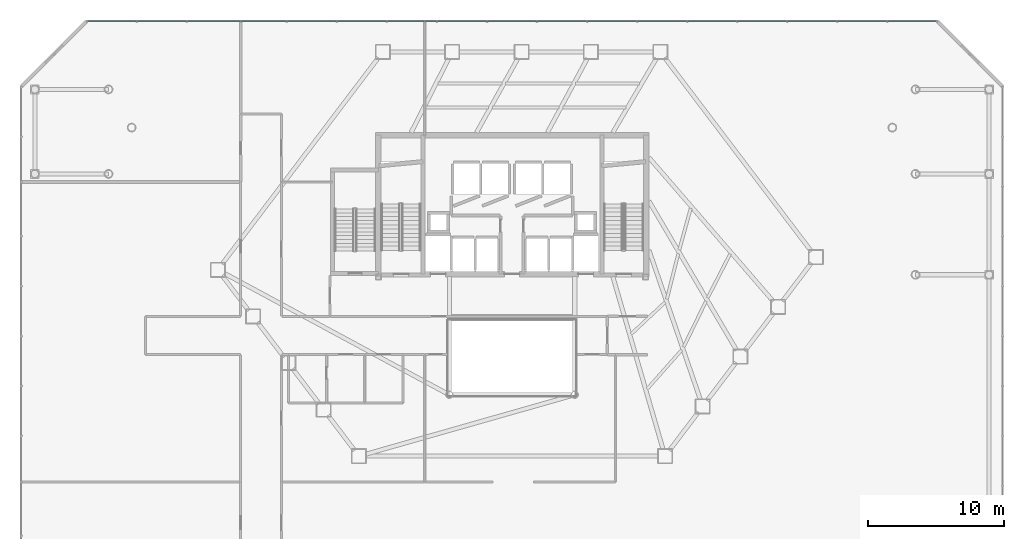
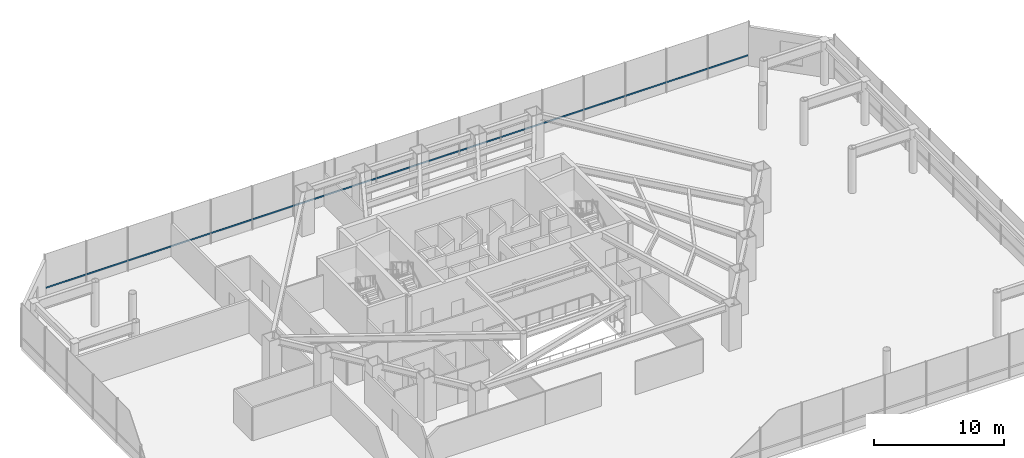
# One storey, part 22 of 37: 1 member, 1 element without a shape of its own.
"""IFC4 building model written with IfcOpenShell, lengths in metres."""

import ifcopenshell
import ifcopenshell.guid

model = None  # the IFC model being written
_history = None  # IfcOwnerHistory: only IFC2X3 demands one
_inside = {}  # id of a spatial element -> (the spatial element, [elements in it])
_under = {}  # id of a project, library or spatial element -> (it, [spatial elements below it])
_declared = {}  # id of a project -> (the project, [libraries it declares])
_typed = {}  # id of a type object -> (the type object, [elements of that type])
_made_of = {}  # id of a material, layer set ... -> (it, [elements and type objects made of it])


def new_model(schema):
    """Start an empty IFC model of exactly this schema.

    Asked for "IFC4X3", IfcOpenShell would pick the latest addendum, in which some entities
    have other attributes; the version numbers below select the first issue.
    IFC2X3 requires an IfcOwnerHistory on every rooted entity: one is made here for all.
    """
    global model, _history
    if schema == "IFC4X3":
        model = ifcopenshell.file(schema_version=(4, 3, 0, 0))
    else:
        model = ifcopenshell.file(schema=schema)
    _inside.clear()
    _under.clear()
    _declared.clear()
    _typed.clear()
    _made_of.clear()
    _history = None
    if model.schema == "IFC2X3":
        org = make("IfcOrganization", Name="unknown")
        user = make(
            "IfcPersonAndOrganization",
            ThePerson=make("IfcPerson", FamilyName="unknown"),
            TheOrganization=org,
        )
        app = make(
            "IfcApplication",
            ApplicationDeveloper=org,
            Version="unknown",
            ApplicationFullName="unknown",
            ApplicationIdentifier="unknown",
        )
        _history = make(
            "IfcOwnerHistory",
            OwningUser=user,
            OwningApplication=app,
            ChangeAction="ADDED",
            CreationDate=0,
        )
    return model


def make(cls, **values):
    """One entity of the class cls with the attributes given. An attribute that is None is left unset."""
    return model.create_entity(
        cls, **{name: value for name, value in values.items() if value is not None}
    )


def rooted(cls, **values):
    """An entity with a GlobalId (a new one), such as an element, a storey or a relation."""
    return make(cls, GlobalId=ifcopenshell.guid.new(), OwnerHistory=_history, **values)


def si_unit(unit_type, name, prefix=None):
    """IfcSIUnit, for example si_unit("LENGTHUNIT", "METRE", prefix="MILLI")."""
    return make("IfcSIUnit", UnitType=unit_type, Prefix=prefix, Name=name)


def assignment(units):
    """IfcUnitAssignment: the units of a project."""
    return None if units is None else make("IfcUnitAssignment", Units=units)


def point(xyz):
    """IfcCartesianPoint."""
    return None if xyz is None else make("IfcCartesianPoint", Coordinates=xyz)


def direction(xyz):
    """IfcDirection."""
    return None if xyz is None else make("IfcDirection", DirectionRatios=xyz)


def frame(location, z_axis=None, x_axis=None):
    """IfcAxis2Placement3D, a coordinate frame: its origin and axes. An axis left out is left unset."""
    return make(
        "IfcAxis2Placement3D",
        Location=point(location),
        Axis=direction(z_axis),
        RefDirection=direction(x_axis),
    )


def frame_2d(location, x_axis=None):
    """IfcAxis2Placement2D, a coordinate frame in the plane: its origin and x axis."""
    return make(
        "IfcAxis2Placement2D", Location=point(location), RefDirection=direction(x_axis)
    )


def origin():
    """The frame at (0, 0, 0) with its axes left unset."""
    return frame((0.0, 0.0, 0.0))


def origin_2d():
    """The frame at (0, 0) in the plane with its x axis left unset."""
    return frame_2d((0.0, 0.0))


def place(relative_to, where):
    """IfcLocalPlacement: puts the frame where relative to a parent placement (None: the world)."""
    return make(
        "IfcLocalPlacement", PlacementRelTo=relative_to, RelativePlacement=where
    )


def context(
    kind, dimensions, precision=None, world=None, true_north=None, identifier=None
):
    """IfcGeometricRepresentationContext, for example the 3D "Model" context."""
    return make(
        "IfcGeometricRepresentationContext",
        ContextIdentifier=identifier,
        ContextType=kind,
        CoordinateSpaceDimension=dimensions,
        Precision=precision,
        WorldCoordinateSystem=world,
        TrueNorth=true_north,
    )


def subcontext(parent, identifier, kind, view, scale=None):
    """IfcGeometricRepresentationSubContext, for example "Body" below "Model"."""
    return make(
        "IfcGeometricRepresentationSubContext",
        ContextIdentifier=identifier,
        ContextType=kind,
        ParentContext=parent,
        TargetScale=scale,
        TargetView=view,
    )


def project(units=None, contexts=None):
    """IfcProject with its units and contexts."""
    return rooted(
        "IfcProject",
        Name="project",
        RepresentationContexts=contexts,
        UnitsInContext=assignment(units),
    )


def spatial(cls, under=None, at=None, **own):
    """A site, building, storey or space (cls), placed at a placement, below another one or the project."""
    s = rooted(cls, ObjectPlacement=at, **own)
    if under is not None:
        _under.setdefault(under.id(), (under, []))[1].append(s)
    return s


def profile(cls, at=None, kind="AREA", **sizes):
    """A parametric profile (cls). Its sizes go by their IFC names, for example OverallWidth=200.0."""
    return make(cls, ProfileType=kind, Position=at, **sizes)


def hollow_rectangle(**sizes):
    """IfcRectangleHollowProfileDef."""
    return profile("IfcRectangleHollowProfileDef", **sizes)


def extrude(swept, where, along, depth):
    """IfcExtrudedAreaSolid: the profile swept, set in the frame where, extruded along a direction by depth."""
    return make(
        "IfcExtrudedAreaSolid",
        SweptArea=swept,
        Position=where,
        ExtrudedDirection=direction(along),
        Depth=depth,
    )


def shape(context_of_items, identifier, shape_type, items):
    """IfcShapeRepresentation: the items that make up one representation, for example the "Body"."""
    return make(
        "IfcShapeRepresentation",
        ContextOfItems=context_of_items,
        RepresentationIdentifier=identifier,
        RepresentationType=shape_type,
        Items=items,
    )


def material(Name=None, Category=None):
    """IfcMaterial."""
    return make("IfcMaterial", Name=Name, Category=Category)


def layer(
    of_material, thickness, ventilated=None, Name=None, Category=None, Priority=None
):
    """IfcMaterialLayer: one layer of a wall or slab, of a material (None: an air gap)."""
    return make(
        "IfcMaterialLayer",
        Material=of_material,
        LayerThickness=thickness,
        IsVentilated=ventilated,
        Name=Name,
        Category=Category,
        Priority=Priority,
    )


def layer_set(layers, Name=None):
    """IfcMaterialLayerSet."""
    return make("IfcMaterialLayerSet", MaterialLayers=layers, LayerSetName=Name)


def material_profile(
    of_material, cross_section, Name=None, Category=None, Priority=None
):
    """IfcMaterialProfile: a cross section and its material."""
    return make(
        "IfcMaterialProfile",
        Name=Name,
        Material=of_material,
        Profile=cross_section,
        Priority=Priority,
        Category=Category,
    )


def profile_set(profiles, Name=None, composite=None):
    """IfcMaterialProfileSet."""
    return make(
        "IfcMaterialProfileSet",
        Name=Name,
        MaterialProfiles=profiles,
        CompositeProfile=composite,
    )


def made_of(thing, what):
    """Note that an element or type object is made of a material, layer set ...; save() writes the relation."""
    if what is not None:
        _made_of.setdefault(what.id(), (what, []))[1].append(thing)
    return thing


def type_object(cls, material=None, **own):
    """A type object (cls), such as IfcWallType, which elements share."""
    return made_of(rooted(cls, **own), material)


def element(
    cls,
    number,
    at=None,
    inside=None,
    cuts=None,
    type_object=None,
    material=None,
    context=None,
    identifier="Body",
    shape_type=None,
    held_by="IfcProductDefinitionShape",
    body=None,
    shapes=None,
    **own,
):
    """One element of the class cls, such as IfcWall. Its Tag is "e" and its number.

    at: its placement. inside: the storey or other place that contains it. cuts: it is an
    opening in that element (IfcRelVoidsElement). A single representation is given by context,
    identifier, shape_type and body (its items); several are given by shapes. held_by: the class
    of the entity that holds the representations. save() writes the other relations.
    """
    e = rooted(cls, Tag="e%d" % number, ObjectPlacement=at, **own)
    if body is not None:
        shapes = [shape(context, identifier, shape_type, body)]
    if shapes is not None:
        e.Representation = make(held_by, Representations=shapes)
    if inside is not None:
        _inside.setdefault(inside.id(), (inside, []))[1].append(e)
    if cuts is not None:
        rooted(
            "IfcRelVoidsElement", RelatingBuildingElement=cuts, RelatedOpeningElement=e
        )
    if type_object is not None:
        _typed.setdefault(type_object.id(), (type_object, []))[1].append(e)
    return made_of(e, material)


def aggregate(whole, parts):
    """IfcRelAggregates: a whole, such as a stair, and the parts it consists of."""
    return rooted("IfcRelAggregates", RelatingObject=whole, RelatedObjects=parts)


def save(model, path):
    """Write the relations noted so far, then the file.

    IfcRelAggregates (storeys below a building ...), IfcRelContainedInSpatialStructure (elements
    in a storey), IfcRelDefinesByType, IfcRelAssociatesMaterial and IfcRelDeclares: one each for
    every whole, place, type object, material and project.
    """
    for whole, parts in _under.values():
        aggregate(whole, parts)
    for where, things in _inside.values():
        rooted(
            "IfcRelContainedInSpatialStructure",
            RelatedElements=things,
            RelatingStructure=where,
        )
    for kind, things in _typed.values():
        rooted("IfcRelDefinesByType", RelatedObjects=things, RelatingType=kind)
    for what, things in _made_of.values():
        rooted("IfcRelAssociatesMaterial", RelatedObjects=things, RelatingMaterial=what)
    for by, libraries in _declared.values():
        rooted("IfcRelDeclares", RelatingContext=by, RelatedDefinitions=libraries)
    model.write(path)


model = new_model("IFC4")

# Units and contexts
model_context = context("Model", 3, precision=1e-05, world=origin(), true_north=direction((0.0, 1.0)))
body_context = subcontext(model_context, "Body", "Model", "MODEL_VIEW")
ifc_project = project(units=[si_unit("LENGTHUNIT", "METRE"), si_unit("AREAUNIT", "SQUARE_METRE"), si_unit("VOLUMEUNIT", "CUBIC_METRE"), si_unit("PLANEANGLEUNIT", "RADIAN"), si_unit("MASSUNIT", "GRAM", prefix="KILO")], contexts=[model_context])

# Site, building, storey
site_placement = place(None, origin())
site = spatial("IfcSite", under=ifc_project, at=site_placement, CompositionType="ELEMENT")
building_placement = place(site_placement, origin())
building = spatial("IfcBuilding", under=site, at=building_placement, Name="Zarrinselat Tower", CompositionType="ELEMENT")
storey_placement = place(building_placement, frame((0.0, 0.0, 13.93994140625)))
storey = spatial("IfcBuildingStorey", under=building, at=storey_placement, Name="L03", CompositionType="ELEMENT", Elevation=13.93994140625)

# Curtain wall, member
ifc_material_1 = material(Name="Extruded Aluminium Alloy EN AW-6063 T6", Category="aluminium")
ifc_layer = layer(ifc_material_1, 0.2099609375)
ifc_layer_set = layer_set([ifc_layer], Name="Extruded Aluminium Alloy EN AW-6063 T6")
curtain_wall_type = type_object("IfcCurtainWallType", Name="CWS-POD", PredefinedType="NOTDEFINED", material=ifc_layer_set)
curtain_wall_placement = place(storey_placement, origin())
curtain_wall = element("IfcCurtainWall", 1, at=curtain_wall_placement, inside=storey, type_object=curtain_wall_type, Name="L03 Unitised Curtain Wall CW-L03-F5", PredefinedType="NOTDEFINED")
ifc_material_2 = material(Name="Extruded Aluminium Alloy EN AW-6063 T6", Category="aluminium")
ifc_material_profile = material_profile(ifc_material_2, hollow_rectangle(XDim=0.06005859375, YDim=0.139892578125, WallThickness=0.00390625, at=origin_2d()), Name="RHS 140x60x4")
ifc_profile_set = profile_set([ifc_material_profile], Name="Extruded Aluminium Alloy EN AW-6063 T6")
member_type = type_object("IfcMemberType", Name="MEM-CW-TRN", PredefinedType="USERDEFINED", material=ifc_profile_set)
member_placement = place(storey_placement, frame((69.510009765625, 51.800048828125, 0.949951171875), z_axis=(-1.0, 0.0, 0.0), x_axis=(0.0, -1.0, 0.0)))
member = element("IfcMember", 2, at=member_placement, type_object=member_type, Name="CW-L03-F5 Transom 1", ObjectType="TRANSOM", PredefinedType="USERDEFINED", context=body_context, shape_type="SweptSolid", body=[
    extrude(hollow_rectangle(XDim=0.06005859375, YDim=0.139892578125, WallThickness=0.00390625, at=origin_2d()), origin(), (0.0, 0.0, 1.0), 62.219970703125),
])
aggregate(curtain_wall, [member])

save(model, "model.ifc")
